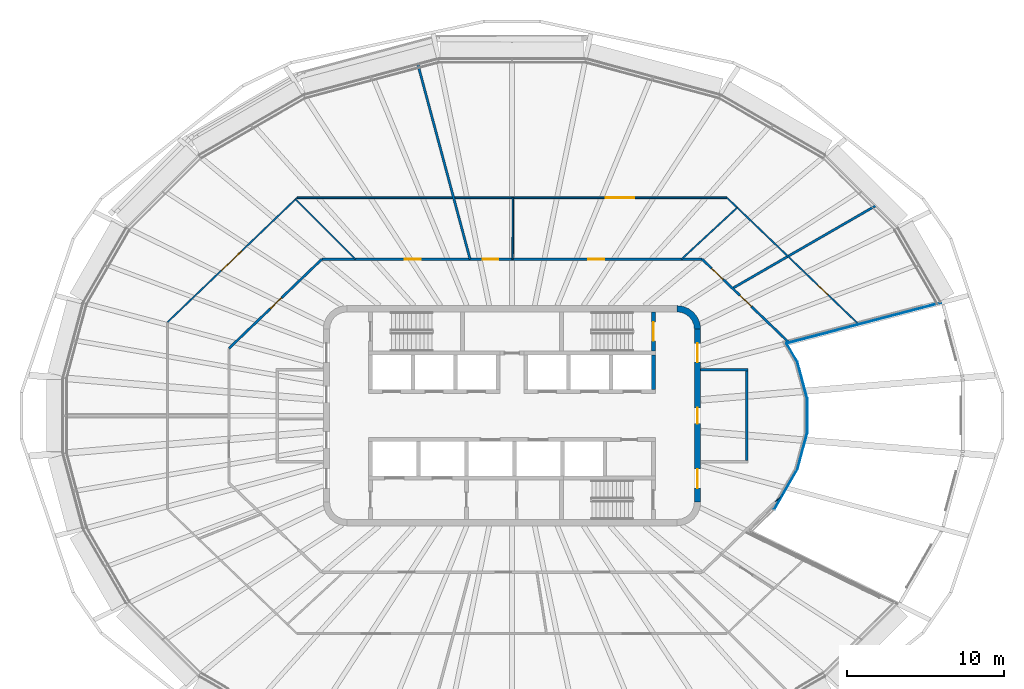
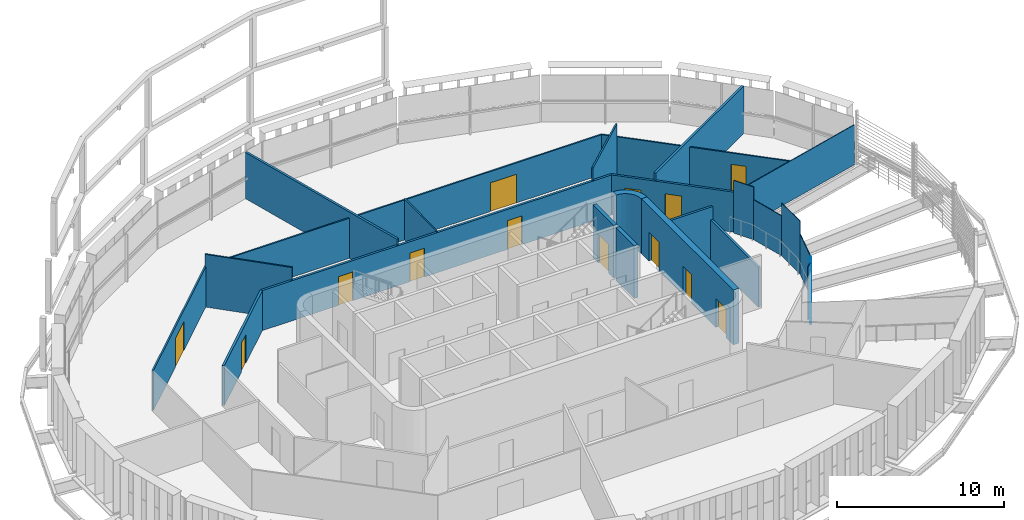
# One storey, part 11 of 19: 24 walls, 13 doors, 13 openings.
"""IFC4 building model written with IfcOpenShell, lengths in metres."""

import ifcopenshell
import ifcopenshell.guid

model = None  # the IFC model being written
_history = None  # IfcOwnerHistory: only IFC2X3 demands one
_inside = {}  # id of a spatial element -> (the spatial element, [elements in it])
_under = {}  # id of a project, library or spatial element -> (it, [spatial elements below it])
_declared = {}  # id of a project -> (the project, [libraries it declares])
_typed = {}  # id of a type object -> (the type object, [elements of that type])
_made_of = {}  # id of a material, layer set ... -> (it, [elements and type objects made of it])


def new_model(schema):
    """Start an empty IFC model of exactly this schema.

    Asked for "IFC4X3", IfcOpenShell would pick the latest addendum, in which some entities
    have other attributes; the version numbers below select the first issue.
    IFC2X3 requires an IfcOwnerHistory on every rooted entity: one is made here for all.
    """
    global model, _history
    if schema == "IFC4X3":
        model = ifcopenshell.file(schema_version=(4, 3, 0, 0))
    else:
        model = ifcopenshell.file(schema=schema)
    _inside.clear()
    _under.clear()
    _declared.clear()
    _typed.clear()
    _made_of.clear()
    _history = None
    if model.schema == "IFC2X3":
        org = make("IfcOrganization", Name="unknown")
        user = make(
            "IfcPersonAndOrganization",
            ThePerson=make("IfcPerson", FamilyName="unknown"),
            TheOrganization=org,
        )
        app = make(
            "IfcApplication",
            ApplicationDeveloper=org,
            Version="unknown",
            ApplicationFullName="unknown",
            ApplicationIdentifier="unknown",
        )
        _history = make(
            "IfcOwnerHistory",
            OwningUser=user,
            OwningApplication=app,
            ChangeAction="ADDED",
            CreationDate=0,
        )
    return model


def make(cls, **values):
    """One entity of the class cls with the attributes given. An attribute that is None is left unset."""
    return model.create_entity(
        cls, **{name: value for name, value in values.items() if value is not None}
    )


def rooted(cls, **values):
    """An entity with a GlobalId (a new one), such as an element, a storey or a relation."""
    return make(cls, GlobalId=ifcopenshell.guid.new(), OwnerHistory=_history, **values)


def si_unit(unit_type, name, prefix=None):
    """IfcSIUnit, for example si_unit("LENGTHUNIT", "METRE", prefix="MILLI")."""
    return make("IfcSIUnit", UnitType=unit_type, Prefix=prefix, Name=name)


def assignment(units):
    """IfcUnitAssignment: the units of a project."""
    return None if units is None else make("IfcUnitAssignment", Units=units)


def point(xyz):
    """IfcCartesianPoint."""
    return None if xyz is None else make("IfcCartesianPoint", Coordinates=xyz)


def direction(xyz):
    """IfcDirection."""
    return None if xyz is None else make("IfcDirection", DirectionRatios=xyz)


def frame(location, z_axis=None, x_axis=None):
    """IfcAxis2Placement3D, a coordinate frame: its origin and axes. An axis left out is left unset."""
    return make(
        "IfcAxis2Placement3D",
        Location=point(location),
        Axis=direction(z_axis),
        RefDirection=direction(x_axis),
    )


def frame_2d(location, x_axis=None):
    """IfcAxis2Placement2D, a coordinate frame in the plane: its origin and x axis."""
    return make(
        "IfcAxis2Placement2D", Location=point(location), RefDirection=direction(x_axis)
    )


def origin():
    """The frame at (0, 0, 0) with its axes left unset."""
    return frame((0.0, 0.0, 0.0))


def place(relative_to, where):
    """IfcLocalPlacement: puts the frame where relative to a parent placement (None: the world)."""
    return make(
        "IfcLocalPlacement", PlacementRelTo=relative_to, RelativePlacement=where
    )


def context(
    kind, dimensions, precision=None, world=None, true_north=None, identifier=None
):
    """IfcGeometricRepresentationContext, for example the 3D "Model" context."""
    return make(
        "IfcGeometricRepresentationContext",
        ContextIdentifier=identifier,
        ContextType=kind,
        CoordinateSpaceDimension=dimensions,
        Precision=precision,
        WorldCoordinateSystem=world,
        TrueNorth=true_north,
    )


def subcontext(parent, identifier, kind, view, scale=None):
    """IfcGeometricRepresentationSubContext, for example "Body" below "Model"."""
    return make(
        "IfcGeometricRepresentationSubContext",
        ContextIdentifier=identifier,
        ContextType=kind,
        ParentContext=parent,
        TargetScale=scale,
        TargetView=view,
    )


def project(units=None, contexts=None):
    """IfcProject with its units and contexts."""
    return rooted(
        "IfcProject",
        Name="project",
        RepresentationContexts=contexts,
        UnitsInContext=assignment(units),
    )


def spatial(cls, under=None, at=None, **own):
    """A site, building, storey or space (cls), placed at a placement, below another one or the project."""
    s = rooted(cls, ObjectPlacement=at, **own)
    if under is not None:
        _under.setdefault(under.id(), (under, []))[1].append(s)
    return s


def polyline(points):
    """IfcPolyline through the points."""
    return make("IfcPolyline", Points=[point(p) for p in points])


def profile(cls, at=None, kind="AREA", **sizes):
    """A parametric profile (cls). Its sizes go by their IFC names, for example OverallWidth=200.0."""
    return make(cls, ProfileType=kind, Position=at, **sizes)


def rectangle(**sizes):
    """IfcRectangleProfileDef."""
    return profile("IfcRectangleProfileDef", **sizes)


def outline(outer, holes=None, kind="AREA"):
    """IfcArbitraryClosedProfileDef: a profile drawn as a closed curve; with holes, ...WithVoids."""
    if holes is None:
        return make("IfcArbitraryClosedProfileDef", ProfileType=kind, OuterCurve=outer)
    return make(
        "IfcArbitraryProfileDefWithVoids",
        ProfileType=kind,
        OuterCurve=outer,
        InnerCurves=holes,
    )


def extrude(swept, where, along, depth):
    """IfcExtrudedAreaSolid: the profile swept, set in the frame where, extruded along a direction by depth."""
    return make(
        "IfcExtrudedAreaSolid",
        SweptArea=swept,
        Position=where,
        ExtrudedDirection=direction(along),
        Depth=depth,
    )


def shape(context_of_items, identifier, shape_type, items):
    """IfcShapeRepresentation: the items that make up one representation, for example the "Body"."""
    return make(
        "IfcShapeRepresentation",
        ContextOfItems=context_of_items,
        RepresentationIdentifier=identifier,
        RepresentationType=shape_type,
        Items=items,
    )


def material(Name=None, Category=None):
    """IfcMaterial."""
    return make("IfcMaterial", Name=Name, Category=Category)


def layer(
    of_material, thickness, ventilated=None, Name=None, Category=None, Priority=None
):
    """IfcMaterialLayer: one layer of a wall or slab, of a material (None: an air gap)."""
    return make(
        "IfcMaterialLayer",
        Material=of_material,
        LayerThickness=thickness,
        IsVentilated=ventilated,
        Name=Name,
        Category=Category,
        Priority=Priority,
    )


def layer_set(layers, Name=None):
    """IfcMaterialLayerSet."""
    return make("IfcMaterialLayerSet", MaterialLayers=layers, LayerSetName=Name)


def made_of(thing, what):
    """Note that an element or type object is made of a material, layer set ...; save() writes the relation."""
    if what is not None:
        _made_of.setdefault(what.id(), (what, []))[1].append(thing)
    return thing


def type_object(cls, material=None, **own):
    """A type object (cls), such as IfcWallType, which elements share."""
    return made_of(rooted(cls, **own), material)


def element(
    cls,
    number,
    at=None,
    inside=None,
    cuts=None,
    type_object=None,
    material=None,
    context=None,
    identifier="Body",
    shape_type=None,
    held_by="IfcProductDefinitionShape",
    body=None,
    shapes=None,
    **own,
):
    """One element of the class cls, such as IfcWall. Its Tag is "e" and its number.

    at: its placement. inside: the storey or other place that contains it. cuts: it is an
    opening in that element (IfcRelVoidsElement). A single representation is given by context,
    identifier, shape_type and body (its items); several are given by shapes. held_by: the class
    of the entity that holds the representations. save() writes the other relations.
    """
    e = rooted(cls, Tag="e%d" % number, ObjectPlacement=at, **own)
    if body is not None:
        shapes = [shape(context, identifier, shape_type, body)]
    if shapes is not None:
        e.Representation = make(held_by, Representations=shapes)
    if inside is not None:
        _inside.setdefault(inside.id(), (inside, []))[1].append(e)
    if cuts is not None:
        rooted(
            "IfcRelVoidsElement", RelatingBuildingElement=cuts, RelatedOpeningElement=e
        )
    if type_object is not None:
        _typed.setdefault(type_object.id(), (type_object, []))[1].append(e)
    return made_of(e, material)


def fill(opening, filler):
    """IfcRelFillsElement: the door or window that sits in an opening."""
    return rooted(
        "IfcRelFillsElement",
        RelatingOpeningElement=opening,
        RelatedBuildingElement=filler,
    )


def aggregate(whole, parts):
    """IfcRelAggregates: a whole, such as a stair, and the parts it consists of."""
    return rooted("IfcRelAggregates", RelatingObject=whole, RelatedObjects=parts)


def save(model, path):
    """Write the relations noted so far, then the file.

    IfcRelAggregates (storeys below a building ...), IfcRelContainedInSpatialStructure (elements
    in a storey), IfcRelDefinesByType, IfcRelAssociatesMaterial and IfcRelDeclares: one each for
    every whole, place, type object, material and project.
    """
    for whole, parts in _under.values():
        aggregate(whole, parts)
    for where, things in _inside.values():
        rooted(
            "IfcRelContainedInSpatialStructure",
            RelatedElements=things,
            RelatingStructure=where,
        )
    for kind, things in _typed.values():
        rooted("IfcRelDefinesByType", RelatedObjects=things, RelatingType=kind)
    for what, things in _made_of.values():
        rooted("IfcRelAssociatesMaterial", RelatedObjects=things, RelatingMaterial=what)
    for by, libraries in _declared.values():
        rooted("IfcRelDeclares", RelatingContext=by, RelatedDefinitions=libraries)
    model.write(path)


model = new_model("IFC4")

# Units and contexts
model_context = context("Model", 3, precision=1e-05, world=origin(), true_north=direction((0.0, 1.0)))
body_context = subcontext(model_context, "Body", "Model", "MODEL_VIEW")
ifc_project = project(units=[si_unit("LENGTHUNIT", "METRE"), si_unit("AREAUNIT", "SQUARE_METRE"), si_unit("VOLUMEUNIT", "CUBIC_METRE"), si_unit("PLANEANGLEUNIT", "RADIAN"), si_unit("MASSUNIT", "GRAM", prefix="KILO")], contexts=[model_context])

# Site, building, storey
site_placement = place(None, origin())
site = spatial("IfcSite", under=ifc_project, at=site_placement, CompositionType="ELEMENT")
building_placement = place(site_placement, origin())
building = spatial("IfcBuilding", under=site, at=building_placement, Name="Sahrelin Media Tower", CompositionType="ELEMENT")
storey_placement = place(building_placement, frame((0.0, 0.0, 287.0)))
storey = spatial("IfcBuildingStorey", under=building, at=storey_placement, Name="L63", CompositionType="ELEMENT", Elevation=287.0)

# Wall, openings, doors
ifc_material_1 = material(Name="Concrete C60/75", Category="concrete")
ifc_layer_1 = layer(ifc_material_1, 0.39990234375)
ifc_layer_set_1 = layer_set([ifc_layer_1], Name="Core wall 400")
wall_type_1 = type_object("IfcWallType", Name="Core wall 400", PredefinedType="SHEAR", material=ifc_layer_set_1)
wall_1_placement = place(storey_placement, frame((11.800048828125, -5.5, 0.0), z_axis=(0.0, 0.0, 1.0), x_axis=(0.0, 1.0, 0.0)))
wall_1 = element("IfcWall", 1, at=wall_1_placement, inside=storey, type_object=wall_type_1, Name="Core wall E L63", PredefinedType="SHEAR", context=body_context, shape_type="SweptSolid", body=[
    extrude(rectangle(XDim=11.0, YDim=0.39990234375, at=frame_2d((5.5, 0.0))), origin(), (0.0, 0.0, 1.0), 4.0),
])
opening_1_placement = place(wall_1_placement, frame((5.0, 0.0, 0.0)))
opening_1 = element("IfcOpeningElement", 2, at=opening_1_placement, cuts=wall_1, Name="Opening L63-D11", PredefinedType="OPENING", context=body_context, shape_type="SweptSolid", body=[
    extrude(rectangle(XDim=1.0, YDim=2.10009765625, at=frame_2d((0.5, 1.050048828125))), frame((0.0, 0.199951171875, 0.0), z_axis=(0.0, -1.0, 0.0), x_axis=(1.0, 0.0, 0.0)), (0.0, 0.0, 1.0), 0.39990234375),
])
opening_2_placement = place(wall_1_placement, frame((0.89990234375, 0.0, 0.0)))
opening_2 = element("IfcOpeningElement", 3, at=opening_2_placement, cuts=wall_1, Name="Opening L63-D14", PredefinedType="OPENING", context=body_context, shape_type="SweptSolid", body=[
    extrude(rectangle(XDim=1.199951171875, YDim=2.10009765625, at=frame_2d((0.60009765625, 1.050048828125))), frame((0.0, 0.199951171875, 0.0), z_axis=(0.0, -1.0, 0.0), x_axis=(1.0, 0.0, 0.0)), (0.0, 0.0, 1.0), 0.39990234375),
])
opening_3_placement = place(wall_1_placement, frame((8.89990234375, 0.0, 0.0)))
opening_3 = element("IfcOpeningElement", 4, at=opening_3_placement, cuts=wall_1, Name="Opening L63-D15", PredefinedType="OPENING", context=body_context, shape_type="SweptSolid", body=[
    extrude(rectangle(XDim=1.199951171875, YDim=2.10009765625, at=frame_2d((0.60009765625, 1.050048828125))), frame((0.0, 0.199951171875, 0.0), z_axis=(0.0, -1.0, 0.0), x_axis=(1.0, 0.0, 0.0)), (0.0, 0.0, 1.0), 0.39990234375),
])
ifc_material_2 = material(Name="Steel fire door leaf", Category="steel")
door_type_1 = type_object("IfcDoorType", Name="Fire door 1000 x 2100 EI 60", OperationType="NOTDEFINED", PredefinedType="DOOR", material=ifc_material_2)
door_1_placement = place(opening_1_placement, origin())
door_1 = element("IfcDoor", 5, at=door_1_placement, inside=storey, type_object=door_type_1, Name="Core room door", OperationType="SINGLE_SWING_RIGHT", OverallHeight=2.10009765625, OverallWidth=1.0, PredefinedType="DOOR", context=body_context, shape_type="SweptSolid", body=[
    extrude(rectangle(XDim=1.0, YDim=2.10009765625, at=frame_2d((0.5, 1.050048828125))), frame((0.0, 0.02490234375, 0.0), z_axis=(0.0, -1.0, 0.0), x_axis=(1.0, 0.0, 0.0)), (0.0, 0.0, 1.0), 0.050048828125),
])
fill(opening_1, door_1)
door_type_2 = type_object("IfcDoorType", Name="Lobby door 1200 x 2100 EI 60", OperationType="NOTDEFINED", PredefinedType="DOOR", material=ifc_material_2)
door_2_placement = place(opening_2_placement, origin())
door_2 = element("IfcDoor", 6, at=door_2_placement, inside=storey, type_object=door_type_2, Name="Lobby door", OperationType="SINGLE_SWING_LEFT", OverallHeight=2.10009765625, OverallWidth=1.199951171875, PredefinedType="DOOR", context=body_context, shape_type="SweptSolid", body=[
    extrude(rectangle(XDim=1.199951171875, YDim=2.10009765625, at=frame_2d((0.60009765625, 1.050048828125))), frame((0.0, 0.02490234375, 0.0), z_axis=(0.0, -1.0, 0.0), x_axis=(1.0, 0.0, 0.0)), (0.0, 0.0, 1.0), 0.050048828125),
])
fill(opening_2, door_2)
door_3_placement = place(opening_3_placement, origin())
door_3 = element("IfcDoor", 7, at=door_3_placement, inside=storey, type_object=door_type_2, Name="Lobby door", OperationType="SINGLE_SWING_LEFT", OverallHeight=2.10009765625, OverallWidth=1.199951171875, PredefinedType="DOOR", context=body_context, shape_type="SweptSolid", body=[
    extrude(rectangle(XDim=1.199951171875, YDim=2.10009765625, at=frame_2d((0.60009765625, 1.050048828125))), frame((0.0, 0.02490234375, 0.0), z_axis=(0.0, -1.0, 0.0), x_axis=(1.0, 0.0, 0.0)), (0.0, 0.0, 1.0), 0.050048828125),
])
fill(opening_3, door_3)

# Walls
wall_2_placement = place(storey_placement, origin())
element("IfcWall", 8, at=wall_2_placement, inside=storey, type_object=wall_type_1, Name="Core wall corner NE L63", PredefinedType="SHEAR", context=body_context, shape_type="SweptSolid", body=[
    extrude(outline(polyline([(10.5, 7.0), (10.5, 6.596435546875), (10.78369140625, 6.55908203125), (11.04833984375, 6.44970703125), (11.275390625, 6.275390625), (11.44970703125, 6.04833984375), (11.55908203125, 5.78369140625), (11.596435546875, 5.5), (12.0, 5.5), (11.948974609375, 5.88818359375), (11.799072265625, 6.25), (11.560791015625, 6.560791015625), (11.25, 6.799072265625), (10.88818359375, 6.948974609375), (10.5, 7.0)])), origin(), (0.0, 0.0, 1.0), 4.0),
])
ifc_material_3 = material(Name="Fire-rated gypsum board partition")
ifc_layer_2 = layer(ifc_material_3, 0.14990234375)
ifc_layer_set_2 = layer_set([ifc_layer_2], Name="Fire-rated partition 150")
wall_type_2 = type_object("IfcWallType", Name="Fire-rated partition 150", PredefinedType="PARTITIONING", material=ifc_layer_set_2)
wall_3_placement = place(storey_placement, frame((14.925048828125, -2.85009765625, 0.0), z_axis=(0.0, 0.0, 1.0), x_axis=(0.0, 1.0, 0.0)))
element("IfcWall", 9, at=wall_3_placement, inside=storey, type_object=wall_type_2, Name="Core room fire partition", PredefinedType="PARTITIONING", context=body_context, shape_type="SweptSolid", body=[
    extrude(rectangle(XDim=5.7001953125, YDim=0.14990234375, at=frame_2d((2.85009765625, 0.0))), origin(), (0.0, 0.0, 1.0), 2.918212890625),
])
wall_4_placement = place(storey_placement, frame((12.0, 2.925048828125, 0.0), z_axis=(0.0, 0.0, 1.0), x_axis=(1.0, 0.0, 0.0)))
element("IfcWall", 10, at=wall_4_placement, inside=storey, type_object=wall_type_2, Name="Core room fire partition", PredefinedType="PARTITIONING", context=body_context, shape_type="SweptSolid", body=[
    extrude(rectangle(XDim=3.0, YDim=0.14990234375, at=frame_2d((1.5, 0.0))), origin(), (0.0, 0.0, 1.0), 3.85009765625),
])
wall_5_placement = place(storey_placement, frame((-5.990966796875, 22.35693359375, 0.0), z_axis=(0.0, 0.0, 1.0), x_axis=(0.258854832266, -0.965916236437, 0.0)))
element("IfcWall", 11, at=wall_5_placement, inside=storey, type_object=wall_type_2, Name="Wall", PredefinedType="PARTITIONING", context=body_context, shape_type="SweptSolid", body=[
    extrude(rectangle(XDim=12.845703125, YDim=0.14990234375, at=frame_2d((6.4228515625, 0.0))), origin(), (0.0, 0.0, 1.0), 3.373046875),
])

# Wall, openings, doors
wall_6_placement = place(storey_placement, frame((12.094970703125, 9.948974609375, 0.0), z_axis=(0.0, 0.0, 1.0), x_axis=(0.721269507408, -0.692654529822, 0.0)))
wall_6 = element("IfcWall", 12, at=wall_6_placement, inside=storey, type_object=wall_type_2, Name="Wall", PredefinedType="PARTITIONING", context=body_context, shape_type="SweptSolid", body=[
    extrude(rectangle(XDim=7.66162109375, YDim=0.14990234375, at=frame_2d((3.830810546875, 0.0))), origin(), (0.0, 0.0, 1.0), 2.927001953125),
])
opening_4_placement = place(wall_6_placement, frame((3.32958984375, 0.0, 0.0)))
opening_4 = element("IfcOpeningElement", 13, at=opening_4_placement, cuts=wall_6, Name="Opening L63-D16", PredefinedType="OPENING", context=body_context, shape_type="SweptSolid", body=[
    extrude(rectangle(XDim=1.0, YDim=2.10009765625, at=frame_2d((0.5, 1.050048828125))), frame((0.0, 0.074951171875, 0.0), z_axis=(0.0, -1.0, 0.0), x_axis=(1.0, 0.0, 0.0)), (0.0, 0.0, 1.0), 0.14990234375),
])
opening_5_placement = place(wall_6_placement, frame((0.8388671875, 0.0, 0.0)))
opening_5 = element("IfcOpeningElement", 14, at=opening_5_placement, cuts=wall_6, Name="Opening L63-D21", PredefinedType="OPENING", context=body_context, shape_type="SweptSolid", body=[
    extrude(rectangle(XDim=1.0, YDim=2.10009765625, at=frame_2d((0.5, 1.050048828125))), frame((0.0, 0.074951171875, 0.0), z_axis=(0.0, -1.0, 0.0), x_axis=(1.0, 0.0, 0.0)), (0.0, 0.0, 1.0), 0.14990234375),
])
door_4_placement = place(opening_4_placement, origin())
door_4 = element("IfcDoor", 15, at=door_4_placement, inside=storey, type_object=door_type_1, Name="Fire door", OperationType="SINGLE_SWING_RIGHT", OverallHeight=2.10009765625, OverallWidth=1.0, PredefinedType="DOOR", context=body_context, shape_type="SweptSolid", body=[
    extrude(rectangle(XDim=1.0, YDim=2.10009765625, at=frame_2d((0.5, 1.050048828125))), frame((0.0, 0.02490234375, 0.0), z_axis=(0.0, -1.0, 0.0), x_axis=(1.0, 0.0, 0.0)), (0.0, 0.0, 1.0), 0.050048828125),
])
fill(opening_4, door_4)
door_5_placement = place(opening_5_placement, origin())
door_5 = element("IfcDoor", 16, at=door_5_placement, inside=storey, type_object=door_type_1, Name="Fire door", OperationType="SINGLE_SWING_LEFT", OverallHeight=2.10009765625, OverallWidth=1.0, PredefinedType="DOOR", context=body_context, shape_type="SweptSolid", body=[
    extrude(rectangle(XDim=1.0, YDim=2.10009765625, at=frame_2d((0.5, 1.050048828125))), frame((0.0, 0.02490234375, 0.0), z_axis=(0.0, -1.0, 0.0), x_axis=(1.0, 0.0, 0.0)), (0.0, 0.0, 1.0), 0.050048828125),
])
fill(opening_5, door_5)

wall_7_placement = place(storey_placement, frame((-12.094970703125, 9.948974609375, 0.0), z_axis=(0.0, 0.0, 1.0), x_axis=(1.0, 0.0, 0.0)))
wall_7 = element("IfcWall", 17, at=wall_7_placement, inside=storey, type_object=wall_type_2, Name="Wall", PredefinedType="PARTITIONING", context=body_context, shape_type="SweptSolid", body=[
    extrude(rectangle(XDim=24.18994140625, YDim=0.14990234375, at=frame_2d((12.094970703125, 0.0))), origin(), (0.0, 0.0, 1.0), 2.927001953125),
])
opening_6_placement = place(wall_7_placement, frame((16.955322265625, 0.0, 0.0)))
opening_6 = element("IfcOpeningElement", 18, at=opening_6_placement, cuts=wall_7, Name="Opening L63-D22", PredefinedType="OPENING", context=body_context, shape_type="SweptSolid", body=[
    extrude(rectangle(XDim=1.0, YDim=2.10009765625, at=frame_2d((0.5, 1.050048828125))), frame((0.0, 0.074951171875, 0.0), z_axis=(0.0, -1.0, 0.0), x_axis=(1.0, 0.0, 0.0)), (0.0, 0.0, 1.0), 0.14990234375),
])
opening_7_placement = place(wall_7_placement, frame((10.23291015625, 0.0, 0.0)))
opening_7 = element("IfcOpeningElement", 19, at=opening_7_placement, cuts=wall_7, Name="Opening L63-D23", PredefinedType="OPENING", context=body_context, shape_type="SweptSolid", body=[
    extrude(rectangle(XDim=1.0, YDim=2.10009765625, at=frame_2d((0.5, 1.050048828125))), frame((0.0, 0.074951171875, 0.0), z_axis=(0.0, -1.0, 0.0), x_axis=(1.0, 0.0, 0.0)), (0.0, 0.0, 1.0), 0.14990234375),
])
opening_8_placement = place(wall_7_placement, frame((5.28759765625, 0.0, 0.0)))
opening_8 = element("IfcOpeningElement", 20, at=opening_8_placement, cuts=wall_7, Name="Opening L63-D25", PredefinedType="OPENING", context=body_context, shape_type="SweptSolid", body=[
    extrude(rectangle(XDim=1.0, YDim=2.10009765625, at=frame_2d((0.5, 1.050048828125))), frame((0.0, 0.074951171875, 0.0), z_axis=(0.0, -1.0, 0.0), x_axis=(1.0, 0.0, 0.0)), (0.0, 0.0, 1.0), 0.14990234375),
])
door_6_placement = place(opening_6_placement, origin())
door_6 = element("IfcDoor", 21, at=door_6_placement, inside=storey, type_object=door_type_1, Name="Fire door", OperationType="SINGLE_SWING_RIGHT", OverallHeight=2.10009765625, OverallWidth=1.0, PredefinedType="DOOR", context=body_context, shape_type="SweptSolid", body=[
    extrude(rectangle(XDim=1.0, YDim=2.10009765625, at=frame_2d((0.5, 1.050048828125))), frame((0.0, 0.02490234375, 0.0), z_axis=(0.0, -1.0, 0.0), x_axis=(1.0, 0.0, 0.0)), (0.0, 0.0, 1.0), 0.050048828125),
])
fill(opening_6, door_6)
door_7_placement = place(opening_7_placement, origin())
door_7 = element("IfcDoor", 22, at=door_7_placement, inside=storey, type_object=door_type_1, Name="Fire door", OperationType="SINGLE_SWING_RIGHT", OverallHeight=2.10009765625, OverallWidth=1.0, PredefinedType="DOOR", context=body_context, shape_type="SweptSolid", body=[
    extrude(rectangle(XDim=1.0, YDim=2.10009765625, at=frame_2d((0.5, 1.050048828125))), frame((0.0, 0.02490234375, 0.0), z_axis=(0.0, -1.0, 0.0), x_axis=(1.0, 0.0, 0.0)), (0.0, 0.0, 1.0), 0.050048828125),
])
fill(opening_7, door_7)
door_8_placement = place(opening_8_placement, origin())
door_8 = element("IfcDoor", 23, at=door_8_placement, inside=storey, type_object=door_type_1, Name="Fire door", OperationType="SINGLE_SWING_LEFT", OverallHeight=2.10009765625, OverallWidth=1.0, PredefinedType="DOOR", context=body_context, shape_type="SweptSolid", body=[
    extrude(rectangle(XDim=1.0, YDim=2.10009765625, at=frame_2d((0.5, 1.050048828125))), frame((0.0, 0.02490234375, 0.0), z_axis=(0.0, -1.0, 0.0), x_axis=(1.0, 0.0, 0.0)), (0.0, 0.0, 1.0), 0.050048828125),
])
fill(opening_8, door_8)

# Wall
wall_8_placement = place(storey_placement, frame((14.02392578125, 8.096923828125, 0.0), z_axis=(0.0, 0.0, 1.0), x_axis=(0.866036805702, 0.49998025078, 0.0)))
element("IfcWall", 24, at=wall_8_placement, inside=storey, type_object=wall_type_2, Name="Wall", PredefinedType="PARTITIONING", context=body_context, shape_type="SweptSolid", body=[
    extrude(rectangle(XDim=10.5205078125, YDim=0.14990234375, at=frame_2d((5.26025390625, 0.0))), origin(), (0.0, 0.0, 1.0), 3.47509765625),
])

# Wall, opening, door
wall_9_placement = place(storey_placement, frame((-18.0, 4.278076171875, 0.0), z_axis=(0.0, 0.0, 1.0), x_axis=(0.721290181137, 0.692633001376, 0.0)))
wall_9 = element("IfcWall", 25, at=wall_9_placement, inside=storey, type_object=wall_type_2, Name="Wall", PredefinedType="PARTITIONING", context=body_context, shape_type="SweptSolid", body=[
    extrude(rectangle(XDim=8.18701171875, YDim=0.14990234375, at=frame_2d((4.093505859375, 0.0))), origin(), (0.0, 0.0, 1.0), 2.927001953125),
])
opening_9_placement = place(wall_9_placement, frame((3.644775390625, 0.0, 0.0)))
opening_9 = element("IfcOpeningElement", 26, at=opening_9_placement, cuts=wall_9, Name="Opening L63-D26", PredefinedType="OPENING", context=body_context, shape_type="SweptSolid", body=[
    extrude(rectangle(XDim=1.0, YDim=2.10009765625, at=frame_2d((0.5, 1.050048828125))), frame((0.0, 0.074951171875, 0.0), z_axis=(0.0, -1.0, 0.0), x_axis=(1.0, 0.0, 0.0)), (0.0, 0.0, 1.0), 0.14990234375),
])
door_9_placement = place(opening_9_placement, origin())
door_9 = element("IfcDoor", 27, at=door_9_placement, inside=storey, type_object=door_type_1, Name="Fire door", OperationType="SINGLE_SWING_RIGHT", OverallHeight=2.10009765625, OverallWidth=1.0, PredefinedType="DOOR", context=body_context, shape_type="SweptSolid", body=[
    extrude(rectangle(XDim=1.0, YDim=2.10009765625, at=frame_2d((0.5, 1.050048828125))), frame((0.0, 0.02490234375, 0.0), z_axis=(0.0, -1.0, 0.0), x_axis=(1.0, 0.0, 0.0)), (0.0, 0.0, 1.0), 0.050048828125),
])
fill(opening_9, door_9)

# Walls
ifc_material_4 = material(Name="Clear glass", Category="glass")
ifc_layer_3 = layer(ifc_material_4, 0.050048828125)
ifc_layer_set_3 = layer_set([ifc_layer_3], Name="Glazed partition 50")
wall_type_3 = type_object("IfcWallType", Name="Glazed partition 50", PredefinedType="PARTITIONING", material=ifc_layer_set_3)
wall_10_placement = place(storey_placement, frame((18.14990234375, 3.405029296875, 0.0), z_axis=(0.0, 0.0, 1.0), x_axis=(0.25914020921, -0.965839713395, 0.0)))
element("IfcWall", 28, at=wall_10_placement, inside=storey, type_object=wall_type_3, Name="Wall", PredefinedType="PARTITIONING", context=body_context, shape_type="SweptSolid", body=[
    extrude(rectangle(XDim=2.385498046875, YDim=0.050048828125, at=frame_2d((1.19287109375, 0.0))), origin(), (0.0, 0.0, 1.0), 2.918212890625),
])
wall_11_placement = place(storey_placement, frame((17.4599609375, 4.60009765625, 0.0), z_axis=(0.0, 0.0, 1.0), x_axis=(0.499906209203, -0.866079547155, 0.0)))
element("IfcWall", 29, at=wall_11_placement, inside=storey, type_object=wall_type_3, Name="Wall", PredefinedType="PARTITIONING", context=body_context, shape_type="SweptSolid", body=[
    extrude(rectangle(XDim=1.380126953125, YDim=0.050048828125, at=frame_2d((0.68994140625, 0.0))), origin(), (0.0, 0.0, 1.0), 3.85009765625),
])
wall_12_placement = place(storey_placement, frame((17.4599609375, 4.60009765625, 0.0), z_axis=(0.0, 0.0, 1.0), x_axis=(0.967217608691, 0.253949005587, 0.0)))
element("IfcWall", 30, at=wall_12_placement, inside=storey, type_object=wall_type_3, Name="Wall", PredefinedType="PARTITIONING", context=body_context, shape_type="SweptSolid", body=[
    extrude(rectangle(XDim=10.156982421875, YDim=0.050048828125, at=frame_2d((5.07861328125, 0.0))), origin(), (0.0, 0.0, 1.0), 2.927001953125),
])
wall_13_placement = place(storey_placement, frame((16.763916015625, -5.466064453125, 0.0), z_axis=(0.0, 0.0, 1.0), x_axis=(0.720963677999, 0.692972853008, 0.0)))
element("IfcWall", 31, at=wall_13_placement, inside=storey, type_object=wall_type_3, Name="Wall", PredefinedType="PARTITIONING", context=body_context, shape_type="SweptSolid", body=[
    extrude(rectangle(XDim=0.610595703125, YDim=0.050048828125, at=frame_2d((0.30517578125, 0.0))), origin(), (0.0, 0.0, 1.0), 3.85009765625),
])
wall_14_placement = place(storey_placement, frame((16.677001953125, -5.9560546875, 0.0), z_axis=(0.0, 0.0, 1.0), x_axis=(0.499837207653, 0.866119371591, 0.0)))
element("IfcWall", 32, at=wall_14_placement, inside=storey, type_object=wall_type_3, Name="Wall", PredefinedType="PARTITIONING", context=body_context, shape_type="SweptSolid", body=[
    extrude(rectangle(XDim=2.94677734375, YDim=0.050048828125, at=frame_2d((1.473388671875, 0.0))), origin(), (0.0, 0.0, 1.0), 2.927001953125),
])
wall_15_placement = place(storey_placement, frame((18.14990234375, -3.404052734375, 0.0), z_axis=(0.0, 0.0, 1.0), x_axis=(0.259242712198, 0.965812205437, 0.0)))
element("IfcWall", 33, at=wall_15_placement, inside=storey, type_object=wall_type_3, Name="Wall", PredefinedType="PARTITIONING", context=body_context, shape_type="SweptSolid", body=[
    extrude(rectangle(XDim=2.384521484375, YDim=0.050048828125, at=frame_2d((1.1923828125, 0.0))), origin(), (0.0, 0.0, 1.0), 2.918212890625),
])
wall_16_placement = place(storey_placement, frame((18.76806640625, -1.10107421875, 0.0), z_axis=(0.0, 0.0, 1.0), x_axis=(0.0, 1.0, 0.0)))
element("IfcWall", 34, at=wall_16_placement, inside=storey, type_object=wall_type_3, Name="Wall", PredefinedType="PARTITIONING", context=body_context, shape_type="SweptSolid", body=[
    extrude(rectangle(XDim=2.2021484375, YDim=0.050048828125, at=frame_2d((1.10107421875, 0.0))), origin(), (0.0, 0.0, 1.0), 3.85009765625),
])
ifc_layer_4 = layer(ifc_material_1, 0.25)
ifc_layer_set_4 = layer_set([ifc_layer_4], Name="Lift shaft wall 250")
wall_type_4 = type_object("IfcWallType", Name="Lift shaft wall 250", PredefinedType="SOLIDWALL", material=ifc_layer_set_4)
wall_17_placement = place(storey_placement, frame((9.0, 1.64990234375, 0.0), z_axis=(0.0, 0.0, 1.0), x_axis=(0.0, 1.0, 0.0)))
element("IfcWall", 35, at=wall_17_placement, inside=storey, type_object=wall_type_4, Name="Lift shaft wall", PredefinedType="SOLIDWALL", context=body_context, shape_type="SweptSolid", body=[
    extrude(rectangle(XDim=2.2001953125, YDim=0.25, at=frame_2d((1.10009765625, 0.0))), origin(), (0.0, 0.0, 1.0), 3.85009765625),
])
ifc_material_5 = material(Name="Gypsum board partition")
ifc_layer_5 = layer(ifc_material_5, 0.10009765625)
ifc_layer_set_5 = layer_set([ifc_layer_5], Name="Partition 100")
wall_type_5 = type_object("IfcWallType", Name="Partition 100", PredefinedType="PARTITIONING", material=ifc_layer_set_5)
wall_18_placement = place(storey_placement, frame((-13.76611328125, 13.764892578125, 0.0), z_axis=(0.0, 0.0, 1.0), x_axis=(0.707219854948, -0.70699368934, 0.0)))
element("IfcWall", 36, at=wall_18_placement, inside=storey, type_object=wall_type_5, Name="Wall", PredefinedType="PARTITIONING", context=body_context, shape_type="SweptSolid", body=[
    extrude(rectangle(XDim=5.3974609375, YDim=0.10009765625, at=frame_2d((2.69873046875, 0.0))), origin(), (0.0, 0.0, 1.0), 3.85009765625),
])

# Wall, opening, door
wall_19_placement = place(storey_placement, frame((13.66796875, 13.85888671875, 0.0), z_axis=(0.0, 0.0, 1.0), x_axis=(0.721216028688, -0.692710213556, 0.0)))
wall_19 = element("IfcWall", 37, at=wall_19_placement, inside=storey, type_object=wall_type_5, Name="Wall", PredefinedType="PARTITIONING", context=body_context, shape_type="SweptSolid", body=[
    extrude(rectangle(XDim=11.6220703125, YDim=0.10009765625, at=frame_2d((5.81103515625, 0.0))), origin(), (0.0, 0.0, 1.0), 2.927001953125),
])
opening_10_placement = place(wall_19_placement, frame((8.00390625, 0.0, 0.0)))
opening_10 = element("IfcOpeningElement", 38, at=opening_10_placement, cuts=wall_19, Name="Opening L63-D17", PredefinedType="OPENING", context=body_context, shape_type="SweptSolid", body=[
    extrude(rectangle(XDim=0.89990234375, YDim=2.10009765625, at=frame_2d((0.449951171875, 1.050048828125))), frame((0.0, 0.050048828125, 0.0), z_axis=(0.0, -1.0, 0.0), x_axis=(1.0, 0.0, 0.0)), (0.0, 0.0, 1.0), 0.10009765625),
])
ifc_material_6 = material(Name="Timber door leaf", Category="wood")
door_type_3 = type_object("IfcDoorType", Name="Single door 900 x 2100", OperationType="NOTDEFINED", PredefinedType="DOOR", material=ifc_material_6)
door_10_placement = place(opening_10_placement, origin())
door_10 = element("IfcDoor", 39, at=door_10_placement, inside=storey, type_object=door_type_3, Name="Single door", OperationType="SINGLE_SWING_RIGHT", OverallHeight=2.10009765625, OverallWidth=0.89990234375, PredefinedType="DOOR", context=body_context, shape_type="SweptSolid", body=[
    extrude(rectangle(XDim=0.89990234375, YDim=2.10009765625, at=frame_2d((0.449951171875, 1.050048828125))), frame((0.0, 0.02490234375, 0.0), z_axis=(0.0, -1.0, 0.0), x_axis=(1.0, 0.0, 0.0)), (0.0, 0.0, 1.0), 0.050048828125),
])
fill(opening_10, door_10)

wall_20_placement = place(storey_placement, frame((-13.66796875, 13.85888671875, 0.0), z_axis=(0.0, 0.0, 1.0), x_axis=(1.0, 0.0, 0.0)))
wall_20 = element("IfcWall", 40, at=wall_20_placement, inside=storey, type_object=wall_type_5, Name="Wall", PredefinedType="PARTITIONING", context=body_context, shape_type="SweptSolid", body=[
    extrude(rectangle(XDim=27.3359375, YDim=0.10009765625, at=frame_2d((13.66796875, 0.0))), origin(), (0.0, 0.0, 1.0), 2.927001953125),
])
opening_11_placement = place(wall_20_placement, frame((19.632568359375, 0.0, 0.0)))
opening_11 = element("IfcOpeningElement", 41, at=opening_11_placement, cuts=wall_20, Name="Opening L63-D24", PredefinedType="OPENING", context=body_context, shape_type="SweptSolid", body=[
    extrude(rectangle(XDim=1.800048828125, YDim=2.10009765625, at=frame_2d((0.89990234375, 1.050048828125))), frame((0.0, 0.050048828125, 0.0), z_axis=(0.0, -1.0, 0.0), x_axis=(1.0, 0.0, 0.0)), (0.0, 0.0, 1.0), 0.10009765625),
])
door_type_4 = type_object("IfcDoorType", Name="Double door 1800 x 2100", OperationType="DOUBLE_DOOR_SINGLE_SWING", PredefinedType="DOOR", material=ifc_material_6)
door_11_placement = place(opening_11_placement, origin())
door_11 = element("IfcDoor", 42, at=door_11_placement, inside=storey, type_object=door_type_4, Name="Double door", OperationType="DOUBLE_DOOR_SINGLE_SWING", OverallHeight=2.10009765625, OverallWidth=1.800048828125, PredefinedType="DOOR", context=body_context, shape_type="SweptSolid", body=[
    extrude(rectangle(XDim=1.800048828125, YDim=2.10009765625, at=frame_2d((0.89990234375, 1.050048828125))), frame((0.0, 0.02490234375, 0.0), z_axis=(0.0, -1.0, 0.0), x_axis=(1.0, 0.0, 0.0)), (0.0, 0.0, 1.0), 0.050048828125),
])
fill(opening_11, door_11)

# Wall
wall_21_placement = place(storey_placement, frame((10.777099609375, 9.948974609375, 0.0), z_axis=(0.0, 0.0, 1.0), x_axis=(0.733892218001, 0.679265936403, 0.0)))
element("IfcWall", 43, at=wall_21_placement, inside=storey, type_object=wall_type_5, Name="Wall", PredefinedType="PARTITIONING", context=body_context, shape_type="SweptSolid", body=[
    extrude(rectangle(XDim=4.831298828125, YDim=0.10009765625, at=frame_2d((2.41552734375, 0.0))), origin(), (0.0, 0.0, 1.0), 3.85009765625),
])

# Wall, opening, door
wall_22_placement = place(storey_placement, frame((-21.909912109375, 5.944091796875, 0.0), z_axis=(0.0, 0.0, 1.0), x_axis=(0.721402264181, 0.692516262073, 0.0)))
wall_22 = element("IfcWall", 44, at=wall_22_placement, inside=storey, type_object=wall_type_5, Name="Wall", PredefinedType="PARTITIONING", context=body_context, shape_type="SweptSolid", body=[
    extrude(rectangle(XDim=11.427001953125, YDim=0.10009765625, at=frame_2d((5.71337890625, 0.0))), origin(), (0.0, 0.0, 1.0), 2.927001953125),
])
opening_12_placement = place(wall_22_placement, frame((4.749755859375, 0.0, 0.0)))
opening_12 = element("IfcOpeningElement", 45, at=opening_12_placement, cuts=wall_22, Name="Opening L63-D27", PredefinedType="OPENING", context=body_context, shape_type="SweptSolid", body=[
    extrude(rectangle(XDim=1.800048828125, YDim=2.10009765625, at=frame_2d((0.89990234375, 1.050048828125))), frame((0.0, 0.050048828125, 0.0), z_axis=(0.0, -1.0, 0.0), x_axis=(1.0, 0.0, 0.0)), (0.0, 0.0, 1.0), 0.10009765625),
])
door_12_placement = place(opening_12_placement, origin())
door_12 = element("IfcDoor", 46, at=door_12_placement, inside=storey, type_object=door_type_4, Name="Double door", OperationType="DOUBLE_DOOR_SINGLE_SWING", OverallHeight=2.10009765625, OverallWidth=1.800048828125, PredefinedType="DOOR", context=body_context, shape_type="SweptSolid", body=[
    extrude(rectangle(XDim=1.800048828125, YDim=2.10009765625, at=frame_2d((0.89990234375, 1.050048828125))), frame((0.0, 0.02490234375, 0.0), z_axis=(0.0, -1.0, 0.0), x_axis=(1.0, 0.0, 0.0)), (0.0, 0.0, 1.0), 0.050048828125),
])
fill(opening_12, door_12)

# Wall
wall_23_placement = place(storey_placement, frame((0.0439453125, 9.948974609375, 0.0), z_axis=(0.0, 0.0, 1.0), x_axis=(0.004370860527, 0.999990447744, 0.0)))
element("IfcWall", 47, at=wall_23_placement, inside=storey, type_object=wall_type_5, Name="Wall", PredefinedType="PARTITIONING", context=body_context, shape_type="SweptSolid", body=[
    extrude(rectangle(XDim=3.909912109375, YDim=0.10009765625, at=frame_2d((1.955078125, 0.0))), origin(), (0.0, 0.0, 1.0), 2.9951171875),
])

# Wall, opening, door
ifc_layer_6 = layer(ifc_material_1, 0.25)
ifc_layer_set_6 = layer_set([ifc_layer_6], Name="Stair enclosure wall 250")
wall_type_6 = type_object("IfcWallType", Name="Stair enclosure wall 250", PredefinedType="SOLIDWALL", material=ifc_layer_set_6)
wall_24_placement = place(storey_placement, frame((9.0, 4.10009765625, 0.0), z_axis=(0.0, 0.0, 1.0), x_axis=(0.0, 1.0, 0.0)))
wall_24 = element("IfcWall", 48, at=wall_24_placement, inside=storey, type_object=wall_type_6, Name="Stair enclosure wall", PredefinedType="SOLIDWALL", context=body_context, shape_type="SweptSolid", body=[
    extrude(rectangle(XDim=2.5, YDim=0.25, at=frame_2d((1.25, 0.0))), origin(), (0.0, 0.0, 1.0), 3.85009765625),
])
opening_13_placement = place(wall_24_placement, frame((0.64990234375, 0.0, 0.0)))
opening_13 = element("IfcOpeningElement", 49, at=opening_13_placement, cuts=wall_24, Name="Opening L63-D02", PredefinedType="OPENING", context=body_context, shape_type="SweptSolid", body=[
    extrude(rectangle(XDim=1.199951171875, YDim=2.10009765625, at=frame_2d((0.60009765625, 1.050048828125))), frame((0.0, 0.125, 0.0), z_axis=(0.0, -1.0, 0.0), x_axis=(1.0, 0.0, 0.0)), (0.0, 0.0, 1.0), 0.25),
])
door_type_5 = type_object("IfcDoorType", Name="Stair door 1200 x 2100 EI 120", OperationType="NOTDEFINED", PredefinedType="DOOR", material=ifc_material_2)
door_13_placement = place(opening_13_placement, origin())
door_13 = element("IfcDoor", 50, at=door_13_placement, inside=storey, type_object=door_type_5, Name="Stair door ST3", OperationType="SINGLE_SWING_LEFT", OverallHeight=2.10009765625, OverallWidth=1.199951171875, PredefinedType="DOOR", context=body_context, shape_type="SweptSolid", body=[
    extrude(rectangle(XDim=1.199951171875, YDim=2.10009765625, at=frame_2d((0.60009765625, 1.050048828125))), frame((0.0, 0.02490234375, 0.0), z_axis=(0.0, -1.0, 0.0), x_axis=(1.0, 0.0, 0.0)), (0.0, 0.0, 1.0), 0.050048828125),
])
fill(opening_13, door_13)

save(model, "model.ifc")
